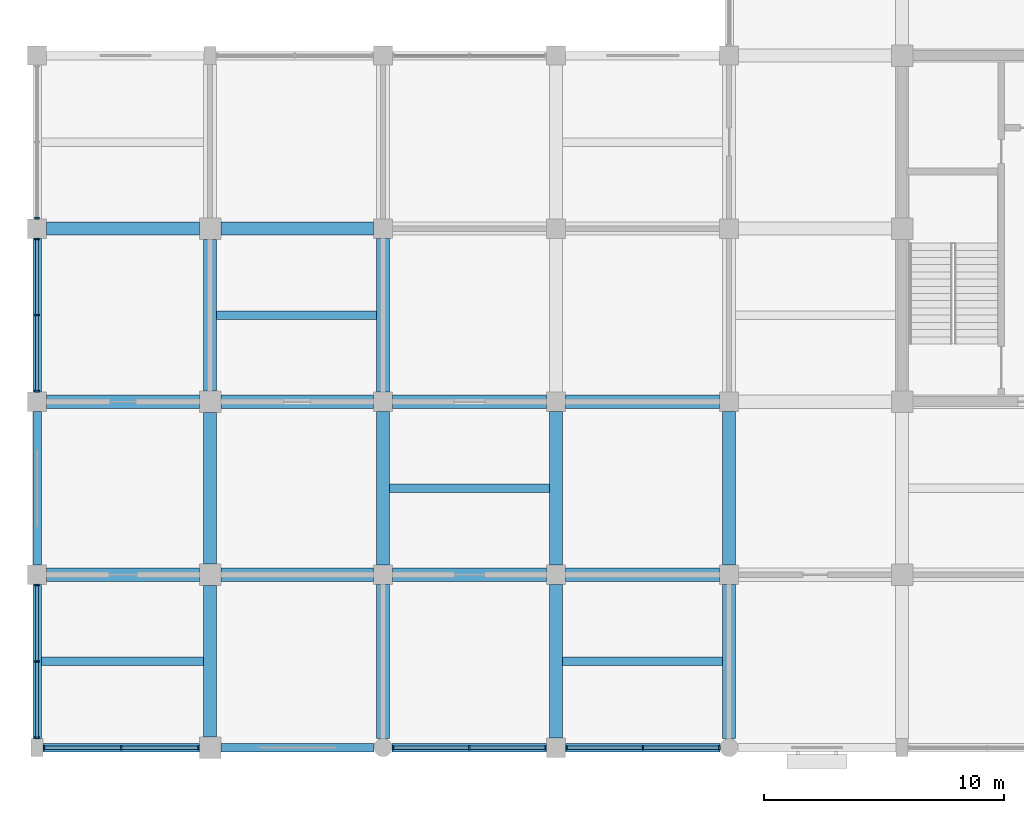
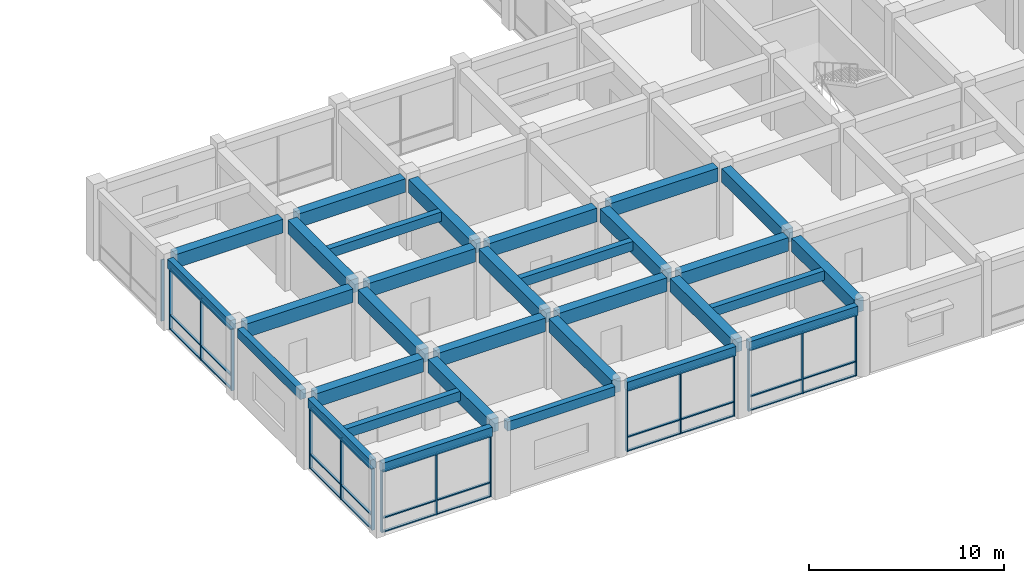
# One storey, part 2 of 75: 46 members, 31 beams, 6 elements without a shape of their own.
"""IFC4 building model written with IfcOpenShell, lengths in metres."""

from ifc_helpers import new_model, si_unit, direction, frame, origin, origin_2d, place, context, subcontext, project, spatial, rectangle, extrude, material, layer, layer_set, material_profile, profile_set, type_object, element, aggregate, save


model = new_model("IFC4")

# Units and contexts
model_context = context("Model", 3, precision=1e-05, world=origin(), true_north=direction((0.0, 1.0)))
body_context = subcontext(model_context, "Body", "Model", "MODEL_VIEW")
ifc_project = project(units=[si_unit("LENGTHUNIT", "METRE"), si_unit("AREAUNIT", "SQUARE_METRE"), si_unit("VOLUMEUNIT", "CUBIC_METRE"), si_unit("PLANEANGLEUNIT", "RADIAN"), si_unit("MASSUNIT", "GRAM", prefix="KILO")], contexts=[model_context])

# Site, building, storey
site_placement = place(None, origin())
site = spatial("IfcSite", under=ifc_project, at=site_placement, CompositionType="ELEMENT")
building_placement = place(site_placement, origin())
building = spatial("IfcBuilding", under=site, at=building_placement, Name="Cendaluz Park School", CompositionType="ELEMENT")
storey_placement = place(building_placement, frame((0.0, 0.0, 4.800048828125)))
storey = spatial("IfcBuildingStorey", under=building, at=storey_placement, Name="L01", CompositionType="ELEMENT", Elevation=4.800048828125)

# Beams
ifc_material_1 = material(Name="Concrete C40/50", Category="concrete")
ifc_material_profile_1 = material_profile(ifc_material_1, rectangle(XDim=0.550048828125, YDim=0.85009765625, at=origin_2d()), Name="RC 550x850", Category="concrete")
ifc_profile_set_1 = profile_set([ifc_material_profile_1], Name="Concrete C40/50")
beam_type_1 = type_object("IfcBeamType", Name="BM-RC01", PredefinedType="BEAM", material=ifc_profile_set_1)
for number, where, z_axis, x_axis, name in (
    (1, (0.39990234375, 7.199951171875, 4.0048828125), (1.0, 0.0, 0.0), (0.0, 1.0, 0.0), "BM-L01-BMRC01-0002"),
    (2, (0.39990234375, 14.39990234375, 4.0048828125), (1.0, 0.0, 0.0), (0.0, 1.0, 0.0), "BM-L01-BMRC01-0003"),
    (3, (0.39990234375, 21.60009765625, 4.0048828125), (1.0, 0.0, 0.0), (0.0, 1.0, 0.0), "BM-L01-BMRC01-0004"),
    (4, (7.64990234375, 7.199951171875, 4.0048828125), (1.0, 0.0, 0.0), (0.0, 1.0, 0.0), "BM-L01-BMRC01-0016"),
    (5, (7.64990234375, 14.39990234375, 4.0048828125), (1.0, 0.0, 0.0), (0.0, 1.0, 0.0), "BM-L01-BMRC01-0017"),
    (6, (7.64990234375, 21.60009765625, 4.0048828125), (1.0, 0.0, 0.0), (0.0, 1.0, 0.0), "BM-L01-BMRC01-0018"),
):
    element("IfcBeam", number, at=place(storey_placement, frame(where, z_axis=z_axis, x_axis=x_axis)), inside=storey, type_object=beam_type_1, Name=name, PredefinedType="BEAM", context=body_context, shape_type="SweptSolid", body=[
        extrude(rectangle(XDim=0.550048828125, YDim=0.85009765625, at=origin_2d()), origin(), (0.0, 0.0, 1.0), 6.35009765625),
    ])
for number, where, z_axis, x_axis, name in (
    (7, (14.800048828125, 7.199951171875, 4.0048828125), (1.0, 0.0, 0.0), (0.0, 1.0, 0.0), "BM-L01-BMRC01-0025"),
    (8, (14.800048828125, 14.39990234375, 4.0048828125), (1.0, 0.0, 0.0), (0.0, 1.0, 0.0), "BM-L01-BMRC01-0026"),
    (9, (22.0, 7.199951171875, 4.0048828125), (1.0, 0.0, 0.0), (0.0, 1.0, 0.0), "BM-L01-BMRC01-0034"),
    (10, (22.0, 14.39990234375, 4.0048828125), (1.0, 0.0, 0.0), (0.0, 1.0, 0.0), "BM-L01-BMRC01-0035"),
):
    element("IfcBeam", number, at=place(storey_placement, frame(where, z_axis=z_axis, x_axis=x_axis)), inside=storey, type_object=beam_type_1, Name=name, PredefinedType="BEAM", context=body_context, shape_type="SweptSolid", body=[
        extrude(rectangle(XDim=0.550048828125, YDim=0.85009765625, at=origin_2d()), origin(), (0.0, 0.0, 1.0), 6.39990234375),
    ])
for number, where, z_axis, x_axis, name in (
    (11, (7.199951171875, 0.449951171875, 4.0048828125), (0.0, 1.0, 0.0), (-1.0, 0.0, 0.0), "BM-L01-BMRC01-0237"),
    (12, (7.199951171875, 7.64990234375, 4.0048828125), (0.0, 1.0, 0.0), (-1.0, 0.0, 0.0), "BM-L01-BMRC01-0238"),
):
    element("IfcBeam", number, at=place(storey_placement, frame(where, z_axis=z_axis, x_axis=x_axis)), inside=storey, type_object=beam_type_1, Name=name, PredefinedType="BEAM", context=body_context, shape_type="SweptSolid", body=[
        extrude(rectangle(XDim=0.550048828125, YDim=0.85009765625, at=origin_2d()), origin(), (0.0, 0.0, 1.0), 6.300048828125),
    ])
beam_1_placement = place(storey_placement, frame((7.199951171875, 14.85009765625, 4.0048828125), z_axis=(0.0, 1.0, 0.0), x_axis=(-1.0, 0.0, 0.0)))
element("IfcBeam", 13, at=beam_1_placement, inside=storey, type_object=beam_type_1, Name="BM-L01-BMRC01-0239", PredefinedType="BEAM", context=body_context, shape_type="SweptSolid", body=[
    extrude(rectangle(XDim=0.550048828125, YDim=0.85009765625, at=origin_2d()), origin(), (0.0, 0.0, 1.0), 6.2998046875),
])
beam_2_placement = place(storey_placement, frame((14.39990234375, 0.375, 4.0048828125), z_axis=(0.0, 1.0, 0.0), x_axis=(-1.0, 0.0, 0.0)))
element("IfcBeam", 14, at=beam_2_placement, inside=storey, type_object=beam_type_1, Name="BM-L01-BMRC01-0249", PredefinedType="BEAM", context=body_context, shape_type="SweptSolid", body=[
    extrude(rectangle(XDim=0.550048828125, YDim=0.85009765625, at=origin_2d()), origin(), (0.0, 0.0, 1.0), 6.425048828125),
])
for number, where, z_axis, x_axis, name in (
    (15, (14.39990234375, 7.60009765625, 4.0048828125), (0.0, 1.0, 0.0), (-1.0, 0.0, 0.0), "BM-L01-BMRC01-0250"),
    (16, (14.39990234375, 14.800048828125, 4.0048828125), (0.0, 1.0, 0.0), (-1.0, 0.0, 0.0), "BM-L01-BMRC01-0251"),
):
    element("IfcBeam", number, at=place(storey_placement, frame(where, z_axis=z_axis, x_axis=x_axis)), inside=storey, type_object=beam_type_1, Name=name, PredefinedType="BEAM", context=body_context, shape_type="SweptSolid", body=[
        extrude(rectangle(XDim=0.550048828125, YDim=0.85009765625, at=origin_2d()), origin(), (0.0, 0.0, 1.0), 6.39990234375),
    ])
beam_3_placement = place(storey_placement, frame((21.60009765625, 0.39990234375, 4.0048828125), z_axis=(0.0, 1.0, 0.0), x_axis=(-1.0, 0.0, 0.0)))
element("IfcBeam", 17, at=beam_3_placement, inside=storey, type_object=beam_type_1, Name="BM-L01-BMRC01-0255", PredefinedType="BEAM", context=body_context, shape_type="SweptSolid", body=[
    extrude(rectangle(XDim=0.550048828125, YDim=0.85009765625, at=origin_2d()), origin(), (0.0, 0.0, 1.0), 6.400146484375),
])
beam_4_placement = place(storey_placement, frame((21.60009765625, 7.60009765625, 4.0048828125), z_axis=(0.0, 1.0, 0.0), x_axis=(-1.0, 0.0, 0.0)))
element("IfcBeam", 18, at=beam_4_placement, inside=storey, type_object=beam_type_1, Name="BM-L01-BMRC01-0256", PredefinedType="BEAM", context=body_context, shape_type="SweptSolid", body=[
    extrude(rectangle(XDim=0.550048828125, YDim=0.85009765625, at=origin_2d()), origin(), (0.0, 0.0, 1.0), 6.39990234375),
])
beam_5_placement = place(storey_placement, frame((28.800048828125, 0.375, 4.0048828125), z_axis=(0.0, 1.0, 0.0), x_axis=(-1.0, 0.0, 0.0)))
element("IfcBeam", 19, at=beam_5_placement, inside=storey, type_object=beam_type_1, Name="BM-L01-BMRC01-0261", PredefinedType="BEAM", context=body_context, shape_type="SweptSolid", body=[
    extrude(rectangle(XDim=0.550048828125, YDim=0.85009765625, at=origin_2d()), origin(), (0.0, 0.0, 1.0), 6.425048828125),
])
beam_6_placement = place(storey_placement, frame((28.800048828125, 7.60009765625, 4.0048828125), z_axis=(0.0, 1.0, 0.0), x_axis=(-1.0, 0.0, 0.0)))
element("IfcBeam", 20, at=beam_6_placement, inside=storey, type_object=beam_type_1, Name="BM-L01-BMRC01-0262", PredefinedType="BEAM", context=body_context, shape_type="SweptSolid", body=[
    extrude(rectangle(XDim=0.550048828125, YDim=0.85009765625, at=origin_2d()), origin(), (0.0, 0.0, 1.0), 6.39990234375),
])
ifc_material_profile_2 = material_profile(ifc_material_1, rectangle(XDim=0.35009765625, YDim=0.580078125, at=origin_2d()), Name="RC 350x580", Category="concrete")
ifc_profile_set_2 = profile_set([ifc_material_profile_2], Name="Concrete C40/50")
beam_type_2 = type_object("IfcBeamType", Name="BM-RC04", PredefinedType="LINTEL", material=ifc_profile_set_2)
beam_7_placement = place(storey_placement, frame((0.25, 0.0, 4.139892578125), z_axis=(1.0, 0.0, 0.0), x_axis=(0.0, 1.0, 0.0)))
element("IfcBeam", 21, at=beam_7_placement, inside=storey, type_object=beam_type_2, Name="BM-L01-BMRC04-0001", PredefinedType="LINTEL", context=body_context, shape_type="SweptSolid", body=[
    extrude(rectangle(XDim=0.35009765625, YDim=0.580078125, at=origin_2d()), origin(), (0.0, 0.0, 1.0), 6.5),
])
beam_8_placement = place(storey_placement, frame((7.64990234375, 0.0, 4.139892578125), z_axis=(1.0, 0.0, 0.0), x_axis=(0.0, 1.0, 0.0)))
element("IfcBeam", 22, at=beam_8_placement, inside=storey, type_object=beam_type_2, Name="BM-L01-BMRC04-0015", PredefinedType="LINTEL", context=body_context, shape_type="SweptSolid", body=[
    extrude(rectangle(XDim=0.35009765625, YDim=0.580078125, at=origin_2d()), origin(), (0.0, 0.0, 1.0), 6.375),
])
for number, where, z_axis, x_axis, name in (
    (23, (14.77490234375, 0.0, 4.139892578125), (1.0, 0.0, 0.0), (0.0, 1.0, 0.0), "BM-L01-BMRC04-0024"),
    (24, (22.0, 0.0, 4.139892578125), (1.0, 0.0, 0.0), (0.0, 1.0, 0.0), "BM-L01-BMRC04-0033"),
    (25, (0.0, 0.375, 4.139892578125), (0.0, 1.0, 0.0), (-1.0, 0.0, 0.0), "BM-L01-BMRC04-0225"),
):
    element("IfcBeam", number, at=place(storey_placement, frame(where, z_axis=z_axis, x_axis=x_axis)), inside=storey, type_object=beam_type_2, Name=name, PredefinedType="LINTEL", context=body_context, shape_type="SweptSolid", body=[
        extrude(rectangle(XDim=0.35009765625, YDim=0.580078125, at=origin_2d()), origin(), (0.0, 0.0, 1.0), 6.425048828125),
    ])
for number, where, z_axis, x_axis, name in (
    (26, (0.0, 7.60009765625, 4.139892578125), (0.0, 1.0, 0.0), (-1.0, 0.0, 0.0), "BM-L01-BMRC04-0226"),
    (27, (0.0, 14.800048828125, 4.139892578125), (0.0, 1.0, 0.0), (-1.0, 0.0, 0.0), "BM-L01-BMRC04-0227"),
):
    element("IfcBeam", number, at=place(storey_placement, frame(where, z_axis=z_axis, x_axis=x_axis)), inside=storey, type_object=beam_type_2, Name=name, PredefinedType="LINTEL", context=body_context, shape_type="SweptSolid", body=[
        extrude(rectangle(XDim=0.35009765625, YDim=0.580078125, at=origin_2d()), origin(), (0.0, 0.0, 1.0), 6.39990234375),
    ])

# Curtain wall, members
ifc_material_2 = material(Name="Anodised Aluminium 6063-T6", Category="aluminium")
ifc_layer_1 = layer(ifc_material_2, 0.179931640625)
ifc_layer_set_1 = layer_set([ifc_layer_1], Name="Anodised Aluminium 6063-T6")
curtain_wall_type_1 = type_object("IfcCurtainWallType", Name="CW-130x77", PredefinedType="NOTDEFINED", material=ifc_layer_set_1)
curtain_wall_1_placement = place(storey_placement, origin())
curtain_wall_1 = element("IfcCurtainWall", 28, at=curtain_wall_1_placement, inside=storey, type_object=curtain_wall_type_1, Name="CW-L01-001", PredefinedType="NOTDEFINED")
ifc_material_profile_3 = material_profile(ifc_material_2, rectangle(XDim=0.179931640625, YDim=0.070068359375, at=origin_2d()), Name="CWM 180x70", Category="aluminium")
ifc_profile_set_3 = profile_set([ifc_material_profile_3], Name="Anodised Aluminium 6063-T6")
member_type_1 = type_object("IfcMemberType", Name="CWM-01", PredefinedType="MULLION", material=ifc_profile_set_3)
member_1_placement = place(storey_placement, frame((0.284912109375, 0.0, 0.0), z_axis=(0.0, 0.0, 1.0), x_axis=(0.0, 1.0, 0.0)))
member_1 = element("IfcMember", 29, at=member_1_placement, type_object=member_type_1, Name="CP-L01-0001", PredefinedType="MULLION", context=body_context, shape_type="SweptSolid", body=[
    extrude(rectangle(XDim=0.179931640625, YDim=0.070068359375, at=origin_2d()), origin(), (0.0, 0.0, 1.0), 3.849853515625),
])
member_2_placement = place(storey_placement, frame((3.5, 0.0, 0.0), z_axis=(0.0, 0.0, 1.0), x_axis=(0.0, 1.0, 0.0)))
member_2 = element("IfcMember", 30, at=member_2_placement, type_object=member_type_1, Name="CP-L01-0002", PredefinedType="MULLION", context=body_context, shape_type="SweptSolid", body=[
    extrude(rectangle(XDim=0.179931640625, YDim=0.070068359375, at=origin_2d()), origin(), (0.0, 0.0, 1.0), 3.849853515625),
])
member_3_placement = place(storey_placement, frame((6.715087890625, 0.0, 0.0), z_axis=(0.0, 0.0, 1.0), x_axis=(0.0, 1.0, 0.0)))
member_3 = element("IfcMember", 31, at=member_3_placement, type_object=member_type_1, Name="CP-L01-0003", PredefinedType="MULLION", context=body_context, shape_type="SweptSolid", body=[
    extrude(rectangle(XDim=0.179931640625, YDim=0.070068359375, at=origin_2d()), origin(), (0.0, 0.0, 1.0), 3.849853515625),
])

ifc_layer_2 = layer(ifc_material_2, 0.179931640625)
ifc_layer_set_2 = layer_set([ifc_layer_2], Name="Anodised Aluminium 6063-T6")
curtain_wall_type_2 = type_object("IfcCurtainWallType", Name="CW-128x77", PredefinedType="NOTDEFINED", material=ifc_layer_set_2)
curtain_wall_2_placement = place(storey_placement, origin())
curtain_wall_2 = element("IfcCurtainWall", 32, at=curtain_wall_2_placement, inside=storey, type_object=curtain_wall_type_2, Name="CW-L01-002", PredefinedType="NOTDEFINED")
member_4_placement = place(storey_placement, frame((0.0, 0.409912109375, 0.0), z_axis=(0.0, 0.0, 1.0), x_axis=(-1.0, 0.0, 0.0)))
member_4 = element("IfcMember", 33, at=member_4_placement, type_object=member_type_1, Name="CP-L01-0014", PredefinedType="MULLION", context=body_context, shape_type="SweptSolid", body=[
    extrude(rectangle(XDim=0.179931640625, YDim=0.070068359375, at=origin_2d()), origin(), (0.0, 0.0, 1.0), 3.849853515625),
])
member_5_placement = place(storey_placement, frame((0.0, 3.58740234375, 0.0), z_axis=(0.0, 0.0, 1.0), x_axis=(-1.0, 0.0, 0.0)))
member_5 = element("IfcMember", 34, at=member_5_placement, type_object=member_type_1, Name="CP-L01-0015", PredefinedType="MULLION", context=body_context, shape_type="SweptSolid", body=[
    extrude(rectangle(XDim=0.179931640625, YDim=0.070068359375, at=origin_2d()), origin(), (0.0, 0.0, 1.0), 3.849853515625),
])
member_6_placement = place(storey_placement, frame((0.0, 6.764892578125, 0.0), z_axis=(0.0, 0.0, 1.0), x_axis=(-1.0, 0.0, 0.0)))
member_6 = element("IfcMember", 35, at=member_6_placement, type_object=member_type_1, Name="CP-L01-0016", PredefinedType="MULLION", context=body_context, shape_type="SweptSolid", body=[
    extrude(rectangle(XDim=0.179931640625, YDim=0.070068359375, at=origin_2d()), origin(), (0.0, 0.0, 1.0), 3.849853515625),
])

curtain_wall_3_placement = place(storey_placement, origin())
curtain_wall_3 = element("IfcCurtainWall", 36, at=curtain_wall_3_placement, inside=storey, type_object=curtain_wall_type_2, Name="CW-L01-003", PredefinedType="NOTDEFINED")
member_7_placement = place(storey_placement, frame((0.0, 14.8349609375, 0.0), z_axis=(0.0, 0.0, 1.0), x_axis=(-1.0, 0.0, 0.0)))
member_7 = element("IfcMember", 37, at=member_7_placement, type_object=member_type_1, Name="CP-L01-0027", PredefinedType="MULLION", context=body_context, shape_type="SweptSolid", body=[
    extrude(rectangle(XDim=0.179931640625, YDim=0.070068359375, at=origin_2d()), origin(), (0.0, 0.0, 1.0), 3.849853515625),
])
member_8_placement = place(storey_placement, frame((0.0, 18.0, 0.0), z_axis=(0.0, 0.0, 1.0), x_axis=(-1.0, 0.0, 0.0)))
member_8 = element("IfcMember", 38, at=member_8_placement, type_object=member_type_1, Name="CP-L01-0028", PredefinedType="MULLION", context=body_context, shape_type="SweptSolid", body=[
    extrude(rectangle(XDim=0.179931640625, YDim=0.070068359375, at=origin_2d()), origin(), (0.0, 0.0, 1.0), 3.849853515625),
])
member_9_placement = place(storey_placement, frame((0.0, 21.1650390625, 0.0), z_axis=(0.0, 0.0, 1.0), x_axis=(-1.0, 0.0, 0.0)))
member_9 = element("IfcMember", 39, at=member_9_placement, type_object=member_type_1, Name="CP-L01-0029", PredefinedType="MULLION", context=body_context, shape_type="SweptSolid", body=[
    extrude(rectangle(XDim=0.179931640625, YDim=0.070068359375, at=origin_2d()), origin(), (0.0, 0.0, 1.0), 3.849853515625),
])

# Curtain wall, member
curtain_wall_4_placement = place(storey_placement, origin())
curtain_wall_4 = element("IfcCurtainWall", 40, at=curtain_wall_4_placement, inside=storey, type_object=curtain_wall_type_2, Name="CW-L01-004", PredefinedType="NOTDEFINED")
member_10_placement = place(storey_placement, frame((0.0, 22.034912109375, 0.0), z_axis=(0.0, 0.0, 1.0), x_axis=(-1.0, 0.0, 0.0)))
member_10 = element("IfcMember", 41, at=member_10_placement, type_object=member_type_1, Name="CP-L01-0040", PredefinedType="MULLION", context=body_context, shape_type="SweptSolid", body=[
    extrude(rectangle(XDim=0.179931640625, YDim=0.070068359375, at=origin_2d()), origin(), (0.0, 0.0, 1.0), 3.849853515625),
])
aggregate(curtain_wall_4, [member_10])

# Curtain wall, members
curtain_wall_5_placement = place(storey_placement, origin())
curtain_wall_5 = element("IfcCurtainWall", 42, at=curtain_wall_5_placement, inside=storey, type_object=curtain_wall_type_2, Name="CW-L01-015", PredefinedType="NOTDEFINED")
member_11_placement = place(storey_placement, frame((14.81005859375, 0.0, 0.0), z_axis=(0.0, 0.0, 1.0), x_axis=(0.0, 1.0, 0.0)))
member_11 = element("IfcMember", 43, at=member_11_placement, type_object=member_type_1, Name="CP-L01-0183", PredefinedType="MULLION", context=body_context, shape_type="SweptSolid", body=[
    extrude(rectangle(XDim=0.179931640625, YDim=0.070068359375, at=origin_2d()), origin(), (0.0, 0.0, 1.0), 3.849853515625),
])
member_12_placement = place(storey_placement, frame((17.987548828125, 0.0, 0.0), z_axis=(0.0, 0.0, 1.0), x_axis=(0.0, 1.0, 0.0)))
member_12 = element("IfcMember", 44, at=member_12_placement, type_object=member_type_1, Name="CP-L01-0184", PredefinedType="MULLION", context=body_context, shape_type="SweptSolid", body=[
    extrude(rectangle(XDim=0.179931640625, YDim=0.070068359375, at=origin_2d()), origin(), (0.0, 0.0, 1.0), 3.849853515625),
])
member_13_placement = place(storey_placement, frame((21.1650390625, 0.0, 0.0), z_axis=(0.0, 0.0, 1.0), x_axis=(0.0, 1.0, 0.0)))
member_13 = element("IfcMember", 45, at=member_13_placement, type_object=member_type_1, Name="CP-L01-0185", PredefinedType="MULLION", context=body_context, shape_type="SweptSolid", body=[
    extrude(rectangle(XDim=0.179931640625, YDim=0.070068359375, at=origin_2d()), origin(), (0.0, 0.0, 1.0), 3.849853515625),
])

curtain_wall_6_placement = place(storey_placement, origin())
curtain_wall_6 = element("IfcCurtainWall", 46, at=curtain_wall_6_placement, inside=storey, type_object=curtain_wall_type_2, Name="CW-L01-018", PredefinedType="NOTDEFINED")
member_14_placement = place(storey_placement, frame((22.034912109375, 0.0, 0.0), z_axis=(0.0, 0.0, 1.0), x_axis=(0.0, 1.0, 0.0)))
member_14 = element("IfcMember", 47, at=member_14_placement, type_object=member_type_1, Name="CP-L01-0222", PredefinedType="MULLION", context=body_context, shape_type="SweptSolid", body=[
    extrude(rectangle(XDim=0.179931640625, YDim=0.070068359375, at=origin_2d()), origin(), (0.0, 0.0, 1.0), 3.849853515625),
])
member_15_placement = place(storey_placement, frame((25.21240234375, 0.0, 0.0), z_axis=(0.0, 0.0, 1.0), x_axis=(0.0, 1.0, 0.0)))
member_15 = element("IfcMember", 48, at=member_15_placement, type_object=member_type_1, Name="CP-L01-0223", PredefinedType="MULLION", context=body_context, shape_type="SweptSolid", body=[
    extrude(rectangle(XDim=0.179931640625, YDim=0.070068359375, at=origin_2d()), origin(), (0.0, 0.0, 1.0), 3.849853515625),
])
member_16_placement = place(storey_placement, frame((28.389892578125, 0.0, 0.0), z_axis=(0.0, 0.0, 1.0), x_axis=(0.0, 1.0, 0.0)))
member_16 = element("IfcMember", 49, at=member_16_placement, type_object=member_type_1, Name="CP-L01-0224", PredefinedType="MULLION", context=body_context, shape_type="SweptSolid", body=[
    extrude(rectangle(XDim=0.179931640625, YDim=0.070068359375, at=origin_2d()), origin(), (0.0, 0.0, 1.0), 3.849853515625),
])

# Member
ifc_material_profile_4 = material_profile(ifc_material_2, rectangle(XDim=0.139892578125, YDim=0.070068359375, at=origin_2d()), Name="CWT 140x70", Category="aluminium")
ifc_profile_set_4 = profile_set([ifc_material_profile_4], Name="Anodised Aluminium 6063-T6")
member_type_2 = type_object("IfcMemberType", Name="CWT-01", PredefinedType="USERDEFINED", material=ifc_profile_set_4)
member_17_placement = place(storey_placement, frame((0.320068359375, 0.0, 0.034912109375), z_axis=(1.0, 0.0, 0.0), x_axis=(0.0, 1.0, 0.0)))
member_17 = element("IfcMember", 50, at=member_17_placement, type_object=member_type_2, Name="CP-L01-0004", ObjectType="TRANSOM", PredefinedType="USERDEFINED", context=body_context, shape_type="SweptSolid", body=[
    extrude(rectangle(XDim=0.139892578125, YDim=0.070068359375, at=origin_2d()), origin(), (0.0, 0.0, 1.0), 3.14501953125),
])

member_18_placement = place(storey_placement, frame((0.320068359375, 0.0, 0.89990234375), z_axis=(1.0, 0.0, 0.0), x_axis=(0.0, 1.0, 0.0)))
member_18 = element("IfcMember", 51, at=member_18_placement, type_object=member_type_2, Name="CP-L01-0005", ObjectType="TRANSOM", PredefinedType="USERDEFINED", context=body_context, shape_type="SweptSolid", body=[
    extrude(rectangle(XDim=0.139892578125, YDim=0.070068359375, at=origin_2d()), origin(), (0.0, 0.0, 1.0), 3.14501953125),
])

member_19_placement = place(storey_placement, frame((0.320068359375, 0.0, 3.81494140625), z_axis=(1.0, 0.0, 0.0), x_axis=(0.0, 1.0, 0.0)))
member_19 = element("IfcMember", 52, at=member_19_placement, type_object=member_type_2, Name="CP-L01-0006", ObjectType="TRANSOM", PredefinedType="USERDEFINED", context=body_context, shape_type="SweptSolid", body=[
    extrude(rectangle(XDim=0.139892578125, YDim=0.070068359375, at=origin_2d()), origin(), (0.0, 0.0, 1.0), 3.14501953125),
])

member_20_placement = place(storey_placement, frame((3.534912109375, 0.0, 0.034912109375), z_axis=(1.0, 0.0, 0.0), x_axis=(0.0, 1.0, 0.0)))
member_20 = element("IfcMember", 53, at=member_20_placement, type_object=member_type_2, Name="CP-L01-0009", ObjectType="TRANSOM", PredefinedType="USERDEFINED", context=body_context, shape_type="SweptSolid", body=[
    extrude(rectangle(XDim=0.139892578125, YDim=0.070068359375, at=origin_2d()), origin(), (0.0, 0.0, 1.0), 3.14501953125),
])

member_21_placement = place(storey_placement, frame((3.534912109375, 0.0, 0.89990234375), z_axis=(1.0, 0.0, 0.0), x_axis=(0.0, 1.0, 0.0)))
member_21 = element("IfcMember", 54, at=member_21_placement, type_object=member_type_2, Name="CP-L01-0010", ObjectType="TRANSOM", PredefinedType="USERDEFINED", context=body_context, shape_type="SweptSolid", body=[
    extrude(rectangle(XDim=0.139892578125, YDim=0.070068359375, at=origin_2d()), origin(), (0.0, 0.0, 1.0), 3.14501953125),
])

member_22_placement = place(storey_placement, frame((3.534912109375, 0.0, 3.81494140625), z_axis=(1.0, 0.0, 0.0), x_axis=(0.0, 1.0, 0.0)))
member_22 = element("IfcMember", 55, at=member_22_placement, type_object=member_type_2, Name="CP-L01-0011", ObjectType="TRANSOM", PredefinedType="USERDEFINED", context=body_context, shape_type="SweptSolid", body=[
    extrude(rectangle(XDim=0.139892578125, YDim=0.070068359375, at=origin_2d()), origin(), (0.0, 0.0, 1.0), 3.14501953125),
])

aggregate(curtain_wall_1, [member_1, member_2, member_3, member_17, member_18, member_19, member_20, member_21, member_22])

member_23_placement = place(storey_placement, frame((0.0, 0.445068359375, 0.034912109375), z_axis=(0.0, 1.0, 0.0), x_axis=(-1.0, 0.0, 0.0)))
member_23 = element("IfcMember", 56, at=member_23_placement, type_object=member_type_2, Name="CP-L01-0017", ObjectType="TRANSOM", PredefinedType="USERDEFINED", context=body_context, shape_type="SweptSolid", body=[
    extrude(rectangle(XDim=0.139892578125, YDim=0.070068359375, at=origin_2d()), origin(), (0.0, 0.0, 1.0), 3.107421875),
])

member_24_placement = place(storey_placement, frame((0.0, 0.445068359375, 0.89990234375), z_axis=(0.0, 1.0, 0.0), x_axis=(-1.0, 0.0, 0.0)))
member_24 = element("IfcMember", 57, at=member_24_placement, type_object=member_type_2, Name="CP-L01-0018", ObjectType="TRANSOM", PredefinedType="USERDEFINED", context=body_context, shape_type="SweptSolid", body=[
    extrude(rectangle(XDim=0.139892578125, YDim=0.070068359375, at=origin_2d()), origin(), (0.0, 0.0, 1.0), 3.107421875),
])

member_25_placement = place(storey_placement, frame((0.0, 0.445068359375, 3.81494140625), z_axis=(0.0, 1.0, 0.0), x_axis=(-1.0, 0.0, 0.0)))
member_25 = element("IfcMember", 58, at=member_25_placement, type_object=member_type_2, Name="CP-L01-0019", ObjectType="TRANSOM", PredefinedType="USERDEFINED", context=body_context, shape_type="SweptSolid", body=[
    extrude(rectangle(XDim=0.139892578125, YDim=0.070068359375, at=origin_2d()), origin(), (0.0, 0.0, 1.0), 3.107421875),
])

member_26_placement = place(storey_placement, frame((0.0, 3.62255859375, 0.034912109375), z_axis=(0.0, 1.0, 0.0), x_axis=(-1.0, 0.0, 0.0)))
member_26 = element("IfcMember", 59, at=member_26_placement, type_object=member_type_2, Name="CP-L01-0022", ObjectType="TRANSOM", PredefinedType="USERDEFINED", context=body_context, shape_type="SweptSolid", body=[
    extrude(rectangle(XDim=0.139892578125, YDim=0.070068359375, at=origin_2d()), origin(), (0.0, 0.0, 1.0), 3.107421875),
])

member_27_placement = place(storey_placement, frame((0.0, 3.62255859375, 0.89990234375), z_axis=(0.0, 1.0, 0.0), x_axis=(-1.0, 0.0, 0.0)))
member_27 = element("IfcMember", 60, at=member_27_placement, type_object=member_type_2, Name="CP-L01-0023", ObjectType="TRANSOM", PredefinedType="USERDEFINED", context=body_context, shape_type="SweptSolid", body=[
    extrude(rectangle(XDim=0.139892578125, YDim=0.070068359375, at=origin_2d()), origin(), (0.0, 0.0, 1.0), 3.107421875),
])

member_28_placement = place(storey_placement, frame((0.0, 3.62255859375, 3.81494140625), z_axis=(0.0, 1.0, 0.0), x_axis=(-1.0, 0.0, 0.0)))
member_28 = element("IfcMember", 61, at=member_28_placement, type_object=member_type_2, Name="CP-L01-0024", ObjectType="TRANSOM", PredefinedType="USERDEFINED", context=body_context, shape_type="SweptSolid", body=[
    extrude(rectangle(XDim=0.139892578125, YDim=0.070068359375, at=origin_2d()), origin(), (0.0, 0.0, 1.0), 3.107421875),
])

aggregate(curtain_wall_2, [member_4, member_5, member_6, member_23, member_24, member_25, member_26, member_27, member_28])

member_29_placement = place(storey_placement, frame((0.0, 14.8701171875, 0.034912109375), z_axis=(0.0, 1.0, 0.0), x_axis=(-1.0, 0.0, 0.0)))
member_29 = element("IfcMember", 62, at=member_29_placement, type_object=member_type_2, Name="CP-L01-0030", ObjectType="TRANSOM", PredefinedType="USERDEFINED", context=body_context, shape_type="SweptSolid", body=[
    extrude(rectangle(XDim=0.139892578125, YDim=0.070068359375, at=origin_2d()), origin(), (0.0, 0.0, 1.0), 3.094970703125),
])

member_30_placement = place(storey_placement, frame((0.0, 14.8701171875, 0.89990234375), z_axis=(0.0, 1.0, 0.0), x_axis=(-1.0, 0.0, 0.0)))
member_30 = element("IfcMember", 63, at=member_30_placement, type_object=member_type_2, Name="CP-L01-0031", ObjectType="TRANSOM", PredefinedType="USERDEFINED", context=body_context, shape_type="SweptSolid", body=[
    extrude(rectangle(XDim=0.139892578125, YDim=0.070068359375, at=origin_2d()), origin(), (0.0, 0.0, 1.0), 3.094970703125),
])

member_31_placement = place(storey_placement, frame((0.0, 14.8701171875, 3.81494140625), z_axis=(0.0, 1.0, 0.0), x_axis=(-1.0, 0.0, 0.0)))
member_31 = element("IfcMember", 64, at=member_31_placement, type_object=member_type_2, Name="CP-L01-0032", ObjectType="TRANSOM", PredefinedType="USERDEFINED", context=body_context, shape_type="SweptSolid", body=[
    extrude(rectangle(XDim=0.139892578125, YDim=0.070068359375, at=origin_2d()), origin(), (0.0, 0.0, 1.0), 3.094970703125),
])

member_32_placement = place(storey_placement, frame((0.0, 18.034912109375, 0.034912109375), z_axis=(0.0, 1.0, 0.0), x_axis=(-1.0, 0.0, 0.0)))
member_32 = element("IfcMember", 65, at=member_32_placement, type_object=member_type_2, Name="CP-L01-0035", ObjectType="TRANSOM", PredefinedType="USERDEFINED", context=body_context, shape_type="SweptSolid", body=[
    extrude(rectangle(XDim=0.139892578125, YDim=0.070068359375, at=origin_2d()), origin(), (0.0, 0.0, 1.0), 3.094970703125),
])

member_33_placement = place(storey_placement, frame((0.0, 18.034912109375, 0.89990234375), z_axis=(0.0, 1.0, 0.0), x_axis=(-1.0, 0.0, 0.0)))
member_33 = element("IfcMember", 66, at=member_33_placement, type_object=member_type_2, Name="CP-L01-0036", ObjectType="TRANSOM", PredefinedType="USERDEFINED", context=body_context, shape_type="SweptSolid", body=[
    extrude(rectangle(XDim=0.139892578125, YDim=0.070068359375, at=origin_2d()), origin(), (0.0, 0.0, 1.0), 3.094970703125),
])

member_34_placement = place(storey_placement, frame((0.0, 18.034912109375, 3.81494140625), z_axis=(0.0, 1.0, 0.0), x_axis=(-1.0, 0.0, 0.0)))
member_34 = element("IfcMember", 67, at=member_34_placement, type_object=member_type_2, Name="CP-L01-0037", ObjectType="TRANSOM", PredefinedType="USERDEFINED", context=body_context, shape_type="SweptSolid", body=[
    extrude(rectangle(XDim=0.139892578125, YDim=0.070068359375, at=origin_2d()), origin(), (0.0, 0.0, 1.0), 3.094970703125),
])

aggregate(curtain_wall_3, [member_7, member_8, member_9, member_29, member_30, member_31, member_32, member_33, member_34])

member_35_placement = place(storey_placement, frame((14.844970703125, 0.0, 0.034912109375), z_axis=(1.0, 0.0, 0.0), x_axis=(0.0, 1.0, 0.0)))
member_35 = element("IfcMember", 68, at=member_35_placement, type_object=member_type_2, Name="CP-L01-0186", ObjectType="TRANSOM", PredefinedType="USERDEFINED", context=body_context, shape_type="SweptSolid", body=[
    extrude(rectangle(XDim=0.139892578125, YDim=0.070068359375, at=origin_2d()), origin(), (0.0, 0.0, 1.0), 3.107421875),
])

member_36_placement = place(storey_placement, frame((14.844970703125, 0.0, 0.89990234375), z_axis=(1.0, 0.0, 0.0), x_axis=(0.0, 1.0, 0.0)))
member_36 = element("IfcMember", 69, at=member_36_placement, type_object=member_type_2, Name="CP-L01-0187", ObjectType="TRANSOM", PredefinedType="USERDEFINED", context=body_context, shape_type="SweptSolid", body=[
    extrude(rectangle(XDim=0.139892578125, YDim=0.070068359375, at=origin_2d()), origin(), (0.0, 0.0, 1.0), 3.107421875),
])

member_37_placement = place(storey_placement, frame((14.844970703125, 0.0, 3.81494140625), z_axis=(1.0, 0.0, 0.0), x_axis=(0.0, 1.0, 0.0)))
member_37 = element("IfcMember", 70, at=member_37_placement, type_object=member_type_2, Name="CP-L01-0188", ObjectType="TRANSOM", PredefinedType="USERDEFINED", context=body_context, shape_type="SweptSolid", body=[
    extrude(rectangle(XDim=0.139892578125, YDim=0.070068359375, at=origin_2d()), origin(), (0.0, 0.0, 1.0), 3.107421875),
])

member_38_placement = place(storey_placement, frame((18.0224609375, 0.0, 0.034912109375), z_axis=(1.0, 0.0, 0.0), x_axis=(0.0, 1.0, 0.0)))
member_38 = element("IfcMember", 71, at=member_38_placement, type_object=member_type_2, Name="CP-L01-0191", ObjectType="TRANSOM", PredefinedType="USERDEFINED", context=body_context, shape_type="SweptSolid", body=[
    extrude(rectangle(XDim=0.139892578125, YDim=0.070068359375, at=origin_2d()), origin(), (0.0, 0.0, 1.0), 3.107421875),
])

member_39_placement = place(storey_placement, frame((18.0224609375, 0.0, 0.89990234375), z_axis=(1.0, 0.0, 0.0), x_axis=(0.0, 1.0, 0.0)))
member_39 = element("IfcMember", 72, at=member_39_placement, type_object=member_type_2, Name="CP-L01-0192", ObjectType="TRANSOM", PredefinedType="USERDEFINED", context=body_context, shape_type="SweptSolid", body=[
    extrude(rectangle(XDim=0.139892578125, YDim=0.070068359375, at=origin_2d()), origin(), (0.0, 0.0, 1.0), 3.107421875),
])

member_40_placement = place(storey_placement, frame((18.0224609375, 0.0, 3.81494140625), z_axis=(1.0, 0.0, 0.0), x_axis=(0.0, 1.0, 0.0)))
member_40 = element("IfcMember", 73, at=member_40_placement, type_object=member_type_2, Name="CP-L01-0193", ObjectType="TRANSOM", PredefinedType="USERDEFINED", context=body_context, shape_type="SweptSolid", body=[
    extrude(rectangle(XDim=0.139892578125, YDim=0.070068359375, at=origin_2d()), origin(), (0.0, 0.0, 1.0), 3.107421875),
])

aggregate(curtain_wall_5, [member_11, member_12, member_13, member_35, member_36, member_37, member_38, member_39, member_40])

member_41_placement = place(storey_placement, frame((22.070068359375, 0.0, 0.034912109375), z_axis=(1.0, 0.0, 0.0), x_axis=(0.0, 1.0, 0.0)))
member_41 = element("IfcMember", 74, at=member_41_placement, type_object=member_type_2, Name="CP-L01-0225", ObjectType="TRANSOM", PredefinedType="USERDEFINED", context=body_context, shape_type="SweptSolid", body=[
    extrude(rectangle(XDim=0.139892578125, YDim=0.070068359375, at=origin_2d()), origin(), (0.0, 0.0, 1.0), 3.107421875),
])

member_42_placement = place(storey_placement, frame((22.070068359375, 0.0, 0.89990234375), z_axis=(1.0, 0.0, 0.0), x_axis=(0.0, 1.0, 0.0)))
member_42 = element("IfcMember", 75, at=member_42_placement, type_object=member_type_2, Name="CP-L01-0226", ObjectType="TRANSOM", PredefinedType="USERDEFINED", context=body_context, shape_type="SweptSolid", body=[
    extrude(rectangle(XDim=0.139892578125, YDim=0.070068359375, at=origin_2d()), origin(), (0.0, 0.0, 1.0), 3.107421875),
])

member_43_placement = place(storey_placement, frame((22.070068359375, 0.0, 3.81494140625), z_axis=(1.0, 0.0, 0.0), x_axis=(0.0, 1.0, 0.0)))
member_43 = element("IfcMember", 76, at=member_43_placement, type_object=member_type_2, Name="CP-L01-0227", ObjectType="TRANSOM", PredefinedType="USERDEFINED", context=body_context, shape_type="SweptSolid", body=[
    extrude(rectangle(XDim=0.139892578125, YDim=0.070068359375, at=origin_2d()), origin(), (0.0, 0.0, 1.0), 3.107421875),
])

member_44_placement = place(storey_placement, frame((25.24755859375, 0.0, 0.034912109375), z_axis=(1.0, 0.0, 0.0), x_axis=(0.0, 1.0, 0.0)))
member_44 = element("IfcMember", 77, at=member_44_placement, type_object=member_type_2, Name="CP-L01-0230", ObjectType="TRANSOM", PredefinedType="USERDEFINED", context=body_context, shape_type="SweptSolid", body=[
    extrude(rectangle(XDim=0.139892578125, YDim=0.070068359375, at=origin_2d()), origin(), (0.0, 0.0, 1.0), 3.107421875),
])

member_45_placement = place(storey_placement, frame((25.24755859375, 0.0, 0.89990234375), z_axis=(1.0, 0.0, 0.0), x_axis=(0.0, 1.0, 0.0)))
member_45 = element("IfcMember", 78, at=member_45_placement, type_object=member_type_2, Name="CP-L01-0231", ObjectType="TRANSOM", PredefinedType="USERDEFINED", context=body_context, shape_type="SweptSolid", body=[
    extrude(rectangle(XDim=0.139892578125, YDim=0.070068359375, at=origin_2d()), origin(), (0.0, 0.0, 1.0), 3.107421875),
])

member_46_placement = place(storey_placement, frame((25.24755859375, 0.0, 3.81494140625), z_axis=(1.0, 0.0, 0.0), x_axis=(0.0, 1.0, 0.0)))
member_46 = element("IfcMember", 79, at=member_46_placement, type_object=member_type_2, Name="CP-L01-0232", ObjectType="TRANSOM", PredefinedType="USERDEFINED", context=body_context, shape_type="SweptSolid", body=[
    extrude(rectangle(XDim=0.139892578125, YDim=0.070068359375, at=origin_2d()), origin(), (0.0, 0.0, 1.0), 3.107421875),
])

aggregate(curtain_wall_6, [member_14, member_15, member_16, member_41, member_42, member_43, member_44, member_45, member_46])

# Beams
ifc_material_profile_5 = material_profile(ifc_material_1, rectangle(XDim=0.35009765625, YDim=0.580078125, at=origin_2d()), Name="RC 350x580", Category="concrete")
ifc_profile_set_5 = profile_set([ifc_material_profile_5], Name="Concrete C40/50")
beam_type_3 = type_object("IfcBeamType", Name="JT-RC01", PredefinedType="JOIST", material=ifc_profile_set_5)
beam_9_placement = place(storey_placement, frame((0.175048828125, 3.60009765625, 4.139892578125), z_axis=(1.0, 0.0, 0.0), x_axis=(0.0, 1.0, 0.0)))
element("IfcBeam", 80, at=beam_9_placement, inside=storey, type_object=beam_type_3, Name="BM-L01-JTRC01-0465", PredefinedType="JOIST", context=body_context, shape_type="SweptSolid", body=[
    extrude(rectangle(XDim=0.35009765625, YDim=0.580078125, at=origin_2d()), origin(), (0.0, 0.0, 1.0), 6.75),
])
for number, where, z_axis, x_axis, name in (
    (81, (7.47509765625, 18.0, 4.139892578125), (1.0, 0.0, 0.0), (0.0, 1.0, 0.0), "BM-L01-JTRC01-0470"),
    (82, (14.675048828125, 10.800048828125, 4.139892578125), (1.0, 0.0, 0.0), (0.0, 1.0, 0.0), "BM-L01-JTRC01-0472"),
    (83, (21.875, 3.60009765625, 4.139892578125), (1.0, 0.0, 0.0), (0.0, 1.0, 0.0), "BM-L01-JTRC01-0473"),
):
    element("IfcBeam", number, at=place(storey_placement, frame(where, z_axis=z_axis, x_axis=x_axis)), inside=storey, type_object=beam_type_3, Name=name, PredefinedType="JOIST", context=body_context, shape_type="SweptSolid", body=[
        extrude(rectangle(XDim=0.35009765625, YDim=0.580078125, at=origin_2d()), origin(), (0.0, 0.0, 1.0), 6.64990234375),
    ])

save(model, "model.ifc")
